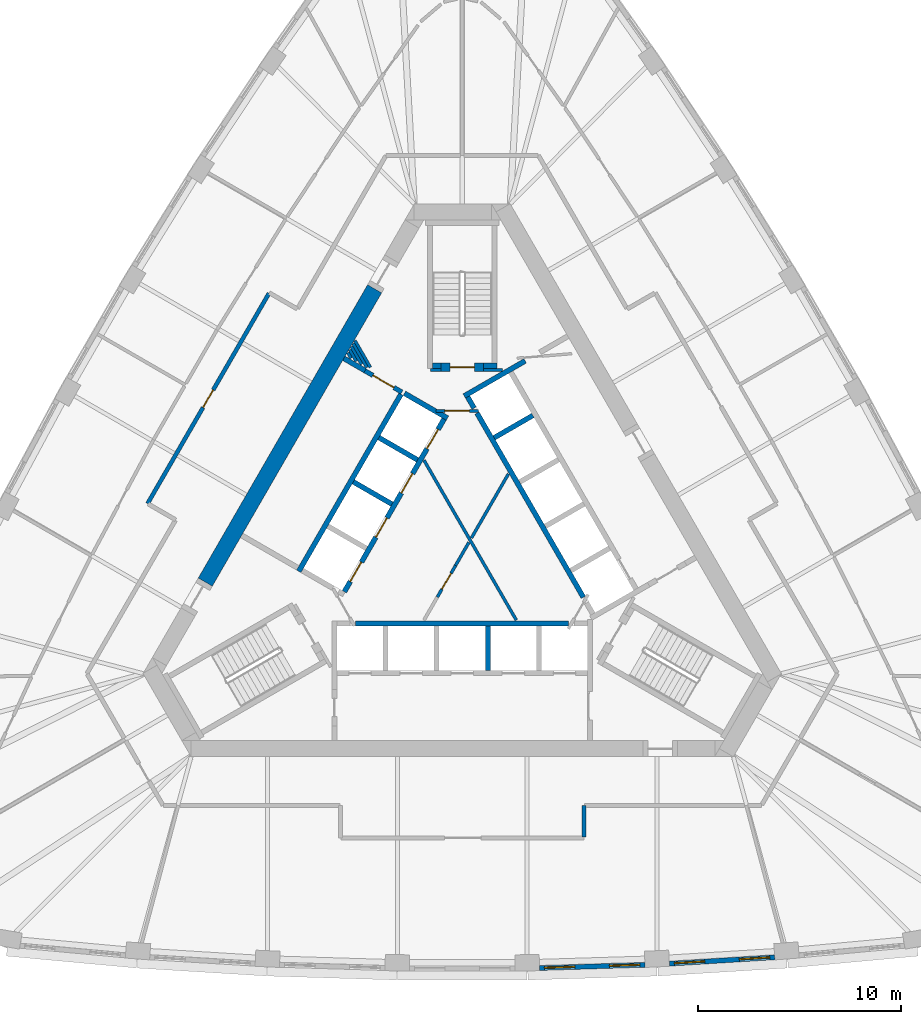
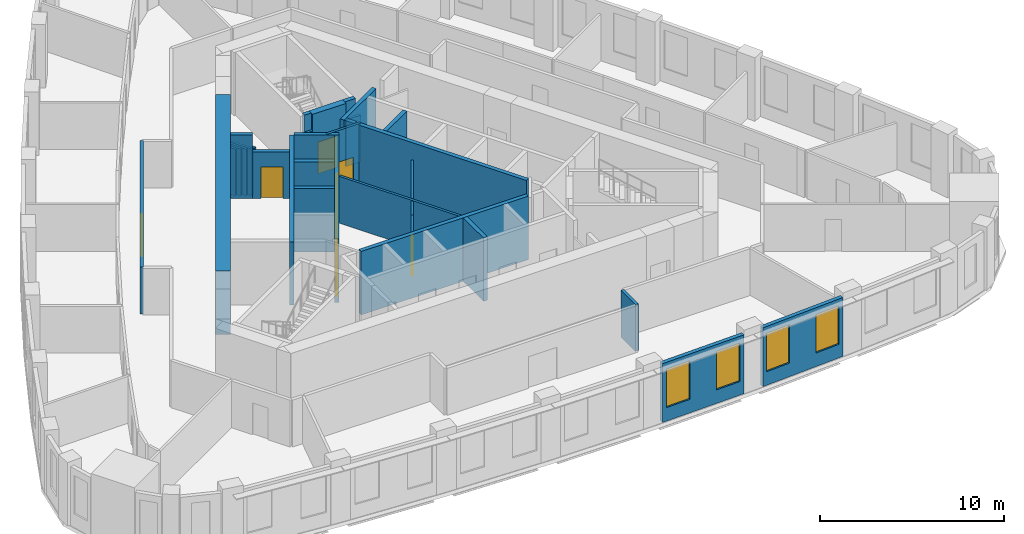
# One storey, part 5 of 10: 33 walls, 9 doors, 4 windows, 13 openings.
"""IFC4 building model written with IfcOpenShell, lengths in metres."""

from ifc_helpers import new_model, si_unit, direction, frame, frame_2d, origin, place, context, subcontext, project, spatial, polyline, rectangle, outline, extrude, material, layer, layer_set, type_object, element, fill, save


model = new_model("IFC4")

# Units and contexts
model_context = context("Model", 3, precision=1e-05, world=origin(), true_north=direction((0.0, 1.0)))
body_context = subcontext(model_context, "Body", "Model", "MODEL_VIEW")
ifc_project = project(units=[si_unit("LENGTHUNIT", "METRE"), si_unit("AREAUNIT", "SQUARE_METRE"), si_unit("VOLUMEUNIT", "CUBIC_METRE"), si_unit("PLANEANGLEUNIT", "RADIAN"), si_unit("MASSUNIT", "GRAM", prefix="KILO")], contexts=[model_context])

# Site, building, storey
site_placement = place(None, origin())
site = spatial("IfcSite", under=ifc_project, at=site_placement, CompositionType="ELEMENT")
building_placement = place(site_placement, origin())
building = spatial("IfcBuilding", under=site, at=building_placement, Name="Mestral Congress Tower", CompositionType="ELEMENT")
storey_placement = place(building_placement, frame((0.0, 0.0, 192.0)))
storey = spatial("IfcBuildingStorey", under=building, at=storey_placement, Name="L45", CompositionType="ELEMENT", Elevation=192.0)

# Walls
ifc_material_1 = material(Name="Fire-rated board partition")
ifc_layer_1 = layer(ifc_material_1, 0.14990234375)
ifc_layer_set_1 = layer_set([ifc_layer_1], Name="Fire-rated board partition")
wall_type_1 = type_object("IfcWallType", Name="Core partition 150", PredefinedType="PARTITIONING", material=ifc_layer_set_1)
wall_1_placement = place(storey_placement, frame((-5.2939453125, 10.067138671875, 0.0), z_axis=(0.0, 0.0, 1.0), x_axis=(0.500054140411, -0.865994143547, 0.0)))
element("IfcWall", 1, at=wall_1_placement, inside=storey, type_object=wall_type_1, Name="L45 core wall", PredefinedType="PARTITIONING", context=body_context, shape_type="SweptSolid", body=[
    extrude(rectangle(XDim=1.529052734375, YDim=0.14990234375, at=frame_2d((0.7646484375, 0.0))), origin(), (0.0, 0.0, 1.0), 3.10009765625),
])
wall_2_placement = place(storey_placement, frame((-5.380615234375, 9.917236328125, 0.0), z_axis=(0.0, 0.0, 1.0), x_axis=(0.500136970483, -0.865946309396, 0.0)))
element("IfcWall", 2, at=wall_2_placement, inside=storey, type_object=wall_type_1, Name="L45 core wall", PredefinedType="PARTITIONING", context=body_context, shape_type="SweptSolid", body=[
    extrude(rectangle(XDim=1.359375, YDim=0.14990234375, at=frame_2d((0.6796875, 0.0))), origin(), (0.0, 0.0, 1.0), 3.10009765625),
])
wall_3_placement = place(storey_placement, frame((-5.467041015625, 9.76708984375, 0.0), z_axis=(0.0, 0.0, 1.0), x_axis=(0.500168849293, -0.86592789665, 0.0)))
element("IfcWall", 3, at=wall_3_placement, inside=storey, type_object=wall_type_1, Name="L45 core wall", PredefinedType="PARTITIONING", context=body_context, shape_type="SweptSolid", body=[
    extrude(rectangle(XDim=1.010009765625, YDim=0.14990234375, at=frame_2d((0.5048828125, 0.0))), origin(), (0.0, 0.0, 1.0), 3.10009765625),
])
wall_4_placement = place(storey_placement, frame((-5.5537109375, 9.6171875, 0.0), z_axis=(0.0, 0.0, 1.0), x_axis=(0.500253084543, -0.86587923604, 0.0)))
element("IfcWall", 4, at=wall_4_placement, inside=storey, type_object=wall_type_1, Name="L45 core wall", PredefinedType="PARTITIONING", context=body_context, shape_type="SweptSolid", body=[
    extrude(rectangle(XDim=0.663818359375, YDim=0.14990234375, at=frame_2d((0.33203125, 0.0))), origin(), (0.0, 0.0, 1.0), 3.10009765625),
])
wall_5_placement = place(storey_placement, frame((-5.640380859375, 9.46728515625, 0.0), z_axis=(0.0, 0.0, 1.0), x_axis=(0.499944387978, -0.86605750902, 0.0)))
element("IfcWall", 5, at=wall_5_placement, inside=storey, type_object=wall_type_1, Name="L45 core wall", PredefinedType="PARTITIONING", context=body_context, shape_type="SweptSolid", body=[
    extrude(rectangle(XDim=0.3173828125, YDim=0.14990234375, at=frame_2d((0.15869140625, 0.0))), origin(), (0.0, 0.0, 1.0), 3.10009765625),
])
wall_6_placement = place(storey_placement, frame((1.050048828125, 8.62548828125, 0.0), z_axis=(0.0, 0.0, 1.0), x_axis=(1.0, 0.0, 0.0)))
element("IfcWall", 6, at=wall_6_placement, inside=storey, type_object=wall_type_1, Name="L45 core wall", PredefinedType="PARTITIONING", context=body_context, shape_type="SweptSolid", body=[
    extrude(rectangle(XDim=0.9287109375, YDim=0.14990234375, at=frame_2d((0.46435546875, 0.0))), origin(), (0.0, 0.0, 1.0), 3.10009765625),
])
wall_7_placement = place(storey_placement, frame((-1.56396484375, 8.62548828125, 0.0), z_axis=(0.0, 0.0, 1.0), x_axis=(1.0, 0.0, 0.0)))
element("IfcWall", 7, at=wall_7_placement, inside=storey, type_object=wall_type_1, Name="L45 core wall", PredefinedType="PARTITIONING", context=body_context, shape_type="SweptSolid", body=[
    extrude(rectangle(XDim=0.513916015625, YDim=0.14990234375, at=frame_2d((0.2568359375, 0.0))), origin(), (0.0, 0.0, 1.0), 3.10009765625),
])
wall_8_placement = place(storey_placement, frame((-1.886962890625, 4.168212890625, 0.0), z_axis=(0.0, 0.0, 1.0), x_axis=(0.499997069472, -0.866027095719, 0.0)))
element("IfcWall", 8, at=wall_8_placement, inside=storey, type_object=wall_type_1, Name="L45 core wall", PredefinedType="PARTITIONING", context=body_context, shape_type="SweptSolid", body=[
    extrude(rectangle(XDim=9.1064453125, YDim=0.14990234375, at=frame_2d((4.55322265625, 0.0))), origin(), (0.0, 0.0, 1.0), 3.10009765625),
])
wall_9_placement = place(storey_placement, frame((-0.329345703125, -1.0205078125, 0.0), z_axis=(0.0, 0.0, 1.0), x_axis=(0.500033191285, 0.866006239939, 0.0)))
element("IfcWall", 9, at=wall_9_placement, inside=storey, type_object=wall_type_1, Name="L45 core wall", PredefinedType="PARTITIONING", context=body_context, shape_type="SweptSolid", body=[
    extrude(rectangle(XDim=1.31494140625, YDim=0.14990234375, at=frame_2d((0.657470703125, 0.0))), origin(), (0.0, 0.0, 1.0), 3.10009765625),
])
wall_10_placement = place(storey_placement, frame((2.276611328125, 3.4931640625, 0.0), z_axis=(0.0, 0.0, 1.0), x_axis=(-0.499994550825, -0.866028549844, 0.0)))
element("IfcWall", 10, at=wall_10_placement, inside=storey, type_object=wall_type_1, Name="L45 core wall", PredefinedType="PARTITIONING", context=body_context, shape_type="SweptSolid", body=[
    extrude(rectangle(XDim=3.650390625, YDim=0.14990234375, at=frame_2d((1.8251953125, 0.0))), origin(), (0.0, 0.0, 1.0), 3.10009765625),
])

# Wall, opening, door
wall_11_placement = place(storey_placement, frame((-1.2294921875, -2.579345703125, 0.0), z_axis=(0.0, 0.0, 1.0), x_axis=(0.500062916607, 0.865989075817, 0.0)))
wall_11 = element("IfcWall", 11, at=wall_11_placement, inside=storey, type_object=wall_type_1, Name="L45 door wall", PredefinedType="PARTITIONING", context=body_context, shape_type="SweptSolid", body=[
    extrude(rectangle(XDim=1.800048828125, YDim=0.14990234375, at=frame_2d((0.89990234375, 0.0))), origin(), (0.0, 0.0, 1.0), 3.10009765625),
])
opening_1_placement = place(wall_11_placement, frame((0.449951171875, 0.0, 0.0)))
opening_1 = element("IfcOpeningElement", 12, at=opening_1_placement, cuts=wall_11, Name="Opening SD-HUB2", PredefinedType="OPENING", context=body_context, shape_type="SweptSolid", body=[
    extrude(rectangle(XDim=0.89990234375, YDim=2.10009765625, at=frame_2d((0.449951171875, 1.050048828125))), frame((0.0, 0.0849609375, 0.0), z_axis=(0.0, -1.0, 0.0), x_axis=(1.0, 0.0, 0.0)), (0.0, 0.0, 1.0), 0.169921875),
])
ifc_material_2 = material(Name="Fire-rated steel door set", Category="steel")
door_type_1 = type_object("IfcDoorType", Name="Core door SR 900x2100", OperationType="SINGLE_SWING_LEFT", PredefinedType="DOOR", material=ifc_material_2)
door_1_placement = place(opening_1_placement, origin())
door_1 = element("IfcDoor", 13, at=door_1_placement, inside=storey, type_object=door_type_1, Name="Door SD-HUB2", OperationType="SINGLE_SWING_LEFT", OverallHeight=2.10009765625, OverallWidth=0.89990234375, PredefinedType="DOOR", context=body_context, shape_type="SweptSolid", body=[
    extrude(rectangle(XDim=0.89990234375, YDim=2.10009765625, at=frame_2d((0.449951171875, 1.050048828125))), frame((0.0, 0.02490234375, 0.0), z_axis=(0.0, -1.0, 0.0), x_axis=(1.0, 0.0, 0.0)), (0.0, 0.0, 1.0), 0.050048828125),
])
fill(opening_1, door_1)

ifc_layer_2 = layer(ifc_material_1, 0.22607421875)
ifc_layer_set_2 = layer_set([ifc_layer_2], Name="Fire-rated board partition")
wall_type_2 = type_object("IfcWallType", Name="Core partition 150 door-wall 226", PredefinedType="PARTITIONING", material=ifc_layer_set_2)
wall_12_placement = place(storey_placement, frame((-4.796142578125, 8.5751953125, 0.0), z_axis=(0.0, 0.0, 1.0), x_axis=(0.866009402589, -0.500027713859, 0.0)))
wall_12 = element("IfcWall", 14, at=wall_12_placement, inside=storey, type_object=wall_type_2, Name="L45 door wall", PredefinedType="PARTITIONING", context=body_context, shape_type="SweptSolid", body=[
    extrude(rectangle(XDim=2.10009765625, YDim=0.226318359375, at=frame_2d((1.050048828125, 0.0))), origin(), (0.0, 0.0, 1.0), 3.10009765625),
])
opening_2_placement = place(wall_12_placement, frame((0.449951171875, 0.0, 0.0)))
opening_2 = element("IfcOpeningElement", 15, at=opening_2_placement, cuts=wall_12, Name="Opening LB2-WL2", PredefinedType="OPENING", context=body_context, shape_type="SweptSolid", body=[
    extrude(rectangle(XDim=1.199951171875, YDim=2.10009765625, at=frame_2d((0.60009765625, 1.050048828125))), frame((0.0, 0.123046875, 0.0), z_axis=(0.0, -1.0, 0.0), x_axis=(1.0, 0.0, 0.0)), (0.0, 0.0, 1.0), 0.246337890625),
])
door_type_2 = type_object("IfcDoorType", Name="Core door LB 1200x2100", OperationType="SINGLE_SWING_LEFT", PredefinedType="DOOR", material=ifc_material_2)
door_2_placement = place(opening_2_placement, origin())
door_2 = element("IfcDoor", 16, at=door_2_placement, inside=storey, type_object=door_type_2, Name="Door LB2-WL2", OperationType="SINGLE_SWING_LEFT", OverallHeight=2.10009765625, OverallWidth=1.199951171875, PredefinedType="DOOR", context=body_context, shape_type="SweptSolid", body=[
    extrude(rectangle(XDim=1.199951171875, YDim=2.10009765625, at=frame_2d((0.60009765625, 1.050048828125))), frame((0.0, 0.02490234375, 0.0), z_axis=(0.0, -1.0, 0.0), x_axis=(1.0, 0.0, 0.0)), (0.0, 0.0, 1.0), 0.050048828125),
])
fill(opening_2, door_2)

# Wall
ifc_material_3 = material(Name="Concrete C60/75", Category="concrete")
ifc_layer_3 = layer(ifc_material_3, 0.800048828125)
ifc_layer_set_3 = layer_set([ifc_layer_3], Name="Concrete C60/75")
wall_type_3 = type_object("IfcWallType", Name="Core wall RC 800", PredefinedType="SOLIDWALL", material=ifc_layer_set_3)
wall_13_placement = place(storey_placement, frame((-4.32080078125, 12.615966796875, 0.0), z_axis=(0.0, 0.0, 1.0), x_axis=(-0.500009809857, -0.866019739987, 0.0)))
element("IfcWall", 17, at=wall_13_placement, inside=storey, type_object=wall_type_3, Name="L45 core wall", PredefinedType="SOLIDWALL", context=body_context, shape_type="SweptSolid", body=[
    extrude(rectangle(XDim=16.694580078125, YDim=0.800048828125, at=frame_2d((8.34716796875, 0.0))), origin(), (0.0, 0.0, 1.0), 4.199951171875),
])

# Wall, openings, windows
ifc_material_4 = material(Name="Precast concrete C40/50 with limestone facing", Category="masonry")
ifc_layer_4 = layer(ifc_material_4, 0.239990234375)
ifc_layer_set_4 = layer_set([ifc_layer_4], Name="Precast concrete C40/50 with limestone facing")
wall_type_4 = type_object("IfcWallType", Name="Facade stone wall 240", PredefinedType="SOLIDWALL", material=ifc_layer_set_4)
wall_14_placement = place(storey_placement, frame((3.80615234375, -20.869873046875, 0.0), z_axis=(0.0, 0.0, 1.0), x_axis=(0.999533441983, 0.030543384845, 0.0)))
wall_14 = element("IfcWall", 18, at=wall_14_placement, inside=storey, type_object=wall_type_4, Name="Facade wall F0-04", PredefinedType="SOLIDWALL", context=body_context, shape_type="SweptSolid", body=[
    extrude(rectangle(XDim=5.20361328125, YDim=0.239990234375, at=frame_2d((2.601806640625, 0.0))), origin(), (0.0, 0.0, 1.0), 3.89990234375),
])
opening_3_placement = place(wall_14_placement, frame((0.248291015625, 0.0, 0.89990234375)))
opening_3 = element("IfcOpeningElement", 19, at=opening_3_placement, cuts=wall_14, Name="Opening W4", PredefinedType="OPENING", context=body_context, shape_type="SweptSolid", body=[
    extrude(rectangle(XDim=1.5, YDim=2.550048828125, at=frame_2d((0.75, 1.27490234375))), frame((0.0, 0.1298828125, 0.0), z_axis=(0.0, -1.0, 0.0), x_axis=(1.0, 0.0, 0.0)), (0.0, 0.0, 1.0), 0.260009765625),
])
opening_4_placement = place(wall_14_placement, frame((3.455078125, 0.0, 0.89990234375)))
opening_4 = element("IfcOpeningElement", 20, at=opening_4_placement, cuts=wall_14, Name="Opening W4", PredefinedType="OPENING", context=body_context, shape_type="SweptSolid", body=[
    extrude(rectangle(XDim=1.5, YDim=2.550048828125, at=frame_2d((0.75, 1.27490234375))), frame((0.0, 0.1298828125, 0.0), z_axis=(0.0, -1.0, 0.0), x_axis=(1.0, 0.0, 0.0)), (0.0, 0.0, 1.0), 0.260009765625),
])
ifc_material_5 = material(Name="Clear low-emissivity double glazing", Category="glass")
window_type = type_object("IfcWindowType", Name="Facade punched window 1500 x 2550 sill 900", PartitioningType="SINGLE_PANEL", PredefinedType="WINDOW", material=ifc_material_5)
window_1_placement = place(opening_3_placement, origin())
window_1 = element("IfcWindow", 21, at=window_1_placement, inside=storey, type_object=window_type, Name="Window F0-04a", OverallHeight=2.550048828125, OverallWidth=1.5, PartitioningType="SINGLE_PANEL", PredefinedType="WINDOW", context=body_context, shape_type="SweptSolid", body=[
    extrude(rectangle(XDim=1.5, YDim=2.550048828125, at=frame_2d((0.75, 1.27490234375))), frame((0.0, 0.0400390625, 0.0), z_axis=(0.0, -1.0, 0.0), x_axis=(1.0, 0.0, 0.0)), (0.0, 0.0, 1.0), 0.06005859375),
])
fill(opening_3, window_1)
window_2_placement = place(opening_4_placement, origin())
window_2 = element("IfcWindow", 22, at=window_2_placement, inside=storey, type_object=window_type, Name="Window F0-04b", OverallHeight=2.550048828125, OverallWidth=1.5, PartitioningType="SINGLE_PANEL", PredefinedType="WINDOW", context=body_context, shape_type="SweptSolid", body=[
    extrude(rectangle(XDim=1.5, YDim=2.550048828125, at=frame_2d((0.75, 1.27490234375))), frame((0.0, 0.0400390625, 0.0), z_axis=(0.0, -1.0, 0.0), x_axis=(1.0, 0.0, 0.0)), (0.0, 0.0, 1.0), 0.06005859375),
])
fill(opening_4, window_2)

wall_15_placement = place(storey_placement, frame((10.210693359375, -20.656005859375, 0.0), z_axis=(0.0, 0.0, 1.0), x_axis=(0.998135294646, 0.061040425794, 0.0)))
wall_15 = element("IfcWall", 23, at=wall_15_placement, inside=storey, type_object=wall_type_4, Name="Facade wall F0-05", PredefinedType="SOLIDWALL", context=body_context, shape_type="SweptSolid", body=[
    extrude(rectangle(XDim=5.20361328125, YDim=0.239990234375, at=frame_2d((2.601806640625, 0.0))), origin(), (0.0, 0.0, 1.0), 3.89990234375),
])
opening_5_placement = place(wall_15_placement, frame((0.248291015625, 0.0, 0.89990234375)))
opening_5 = element("IfcOpeningElement", 24, at=opening_5_placement, cuts=wall_15, Name="Opening W4", PredefinedType="OPENING", context=body_context, shape_type="SweptSolid", body=[
    extrude(rectangle(XDim=1.5, YDim=2.550048828125, at=frame_2d((0.75, 1.27490234375))), frame((0.0, 0.1298828125, 0.0), z_axis=(0.0, -1.0, 0.0), x_axis=(1.0, 0.0, 0.0)), (0.0, 0.0, 1.0), 0.260009765625),
])
opening_6_placement = place(wall_15_placement, frame((3.455078125, 0.0, 0.89990234375)))
opening_6 = element("IfcOpeningElement", 25, at=opening_6_placement, cuts=wall_15, Name="Opening W4", PredefinedType="OPENING", context=body_context, shape_type="SweptSolid", body=[
    extrude(rectangle(XDim=1.5, YDim=2.550048828125, at=frame_2d((0.75, 1.27490234375))), frame((0.0, 0.1298828125, 0.0), z_axis=(0.0, -1.0, 0.0), x_axis=(1.0, 0.0, 0.0)), (0.0, 0.0, 1.0), 0.260009765625),
])
window_3_placement = place(opening_5_placement, origin())
window_3 = element("IfcWindow", 26, at=window_3_placement, inside=storey, type_object=window_type, Name="Window F0-05a", OverallHeight=2.550048828125, OverallWidth=1.5, PartitioningType="SINGLE_PANEL", PredefinedType="WINDOW", context=body_context, shape_type="SweptSolid", body=[
    extrude(rectangle(XDim=1.5, YDim=2.550048828125, at=frame_2d((0.75, 1.27490234375))), frame((0.0, 0.0400390625, 0.0), z_axis=(0.0, -1.0, 0.0), x_axis=(1.0, 0.0, 0.0)), (0.0, 0.0, 1.0), 0.06005859375),
])
fill(opening_5, window_3)
window_4_placement = place(opening_6_placement, origin())
window_4 = element("IfcWindow", 27, at=window_4_placement, inside=storey, type_object=window_type, Name="Window F0-05b", OverallHeight=2.550048828125, OverallWidth=1.5, PartitioningType="SINGLE_PANEL", PredefinedType="WINDOW", context=body_context, shape_type="SweptSolid", body=[
    extrude(rectangle(XDim=1.5, YDim=2.550048828125, at=frame_2d((0.75, 1.27490234375))), frame((0.0, 0.0400390625, 0.0), z_axis=(0.0, -1.0, 0.0), x_axis=(1.0, 0.0, 0.0)), (0.0, 0.0, 1.0), 0.06005859375),
])
fill(opening_6, window_4)

# Wall
ifc_material_6 = material(Name="Dense masonry wall, plastered", Category="masonry")
ifc_layer_5 = layer(ifc_material_6, 0.199951171875)
ifc_layer_set_5 = layer_set([ifc_layer_5], Name="Dense masonry wall, plastered")
wall_type_5 = type_object("IfcWallType", Name="Office tenancy wall 200", PredefinedType="PARTITIONING", material=ifc_layer_set_5)
wall_16_placement = place(storey_placement, frame((6.0, -14.419921875, 0.0), z_axis=(0.0, 0.0, 1.0), x_axis=(0.0, 1.0, 0.0)))
element("IfcWall", 28, at=wall_16_placement, inside=storey, type_object=wall_type_5, Name="Tenancy wall", PredefinedType="PARTITIONING", context=body_context, shape_type="SweptSolid", body=[
    extrude(rectangle(XDim=1.56982421875, YDim=0.199951171875, at=frame_2d((0.784912109375, 0.0))), origin(), (0.0, 0.0, 1.0), 3.10009765625),
])

# Wall, opening, door
wall_17_placement = place(storey_placement, frame((-9.529052734375, 12.395263671875, 0.0), z_axis=(0.0, 0.0, 1.0), x_axis=(-0.500001991949, -0.866024253729, 0.0)))
wall_17 = element("IfcWall", 29, at=wall_17_placement, inside=storey, type_object=wall_type_5, Name="Tenancy wall", PredefinedType="PARTITIONING", context=body_context, shape_type="SweptSolid", body=[
    extrude(rectangle(XDim=11.97021484375, YDim=0.199951171875, at=frame_2d((5.985107421875, 0.0))), origin(), (0.0, 0.0, 1.0), 3.10009765625),
])
opening_7_placement = place(wall_17_placement, frame((5.5, 0.0, 0.0)))
opening_7 = element("IfcOpeningElement", 30, at=opening_7_placement, cuts=wall_17, Name="Opening O05-017", PredefinedType="OPENING", context=body_context, shape_type="SweptSolid", body=[
    extrude(rectangle(XDim=1.0, YDim=2.10009765625, at=frame_2d((0.5, 1.050048828125))), frame((0.0, 0.10986328125, 0.0), z_axis=(0.0, -1.0, 0.0), x_axis=(1.0, 0.0, 0.0)), (0.0, 0.0, 1.0), 0.219970703125),
])
ifc_material_7 = material(Name="Fire-rated timber door set", Category="wood")
door_type_3 = type_object("IfcDoorType", Name="Office tenancy entrance door 1000x2100", OperationType="SINGLE_SWING_LEFT", PredefinedType="DOOR", material=ifc_material_7)
door_3_placement = place(opening_7_placement, origin())
door_3 = element("IfcDoor", 31, at=door_3_placement, inside=storey, type_object=door_type_3, Name="Door O05-017", OperationType="SINGLE_SWING_RIGHT", OverallHeight=2.10009765625, OverallWidth=1.0, PredefinedType="DOOR", context=body_context, shape_type="SweptSolid", body=[
    extrude(rectangle(XDim=1.0, YDim=2.10009765625, at=frame_2d((0.5, 1.050048828125))), frame((0.0, 0.02490234375, 0.0), z_axis=(0.0, -1.0, 0.0), x_axis=(1.0, 0.0, 0.0)), (0.0, 0.0, 1.0), 0.050048828125),
])
fill(opening_7, door_3)

# Walls
ifc_layer_6 = layer(ifc_material_3, 0.25)
ifc_layer_set_6 = layer_set([ifc_layer_6], Name="Concrete C60/75")
wall_type_6 = type_object("IfcWallType", Name="Shaft wall RC 250", PredefinedType="SOLIDWALL", material=ifc_layer_set_6)
wall_18_placement = place(storey_placement, frame((-5.25927734375, -3.875, 0.0), z_axis=(0.0, 0.0, 1.0), x_axis=(1.0, 0.0, 0.0)))
element("IfcWall", 32, at=wall_18_placement, inside=storey, type_object=wall_type_6, Name="L45 core wall", PredefinedType="SOLIDWALL", context=body_context, shape_type="SweptSolid", body=[
    extrude(rectangle(XDim=10.488525390625, YDim=0.25, at=frame_2d((5.244140625, 0.0))), origin(), (0.0, 0.0, 1.0), 4.199951171875),
])
wall_19_placement = place(storey_placement, frame((1.260009765625, -4.0, 0.0), z_axis=(0.0, 0.0, 1.0), x_axis=(0.0, -1.0, 0.0)))
element("IfcWall", 33, at=wall_19_placement, inside=storey, type_object=wall_type_6, Name="L45 core wall", PredefinedType="SOLIDWALL", context=body_context, shape_type="SweptSolid", body=[
    extrude(rectangle(XDim=2.199951171875, YDim=0.25, at=frame_2d((1.10009765625, 0.0))), origin(), (0.0, 0.0, 1.0), 4.199951171875),
])
wall_20_placement = place(storey_placement, frame((3.10009765625, 9.064453125, 0.0), z_axis=(0.0, 0.0, 1.0), x_axis=(-0.866033137035, -0.499986605379, 0.0)))
element("IfcWall", 34, at=wall_20_placement, inside=storey, type_object=wall_type_6, Name="L45 core wall", PredefinedType="SOLIDWALL", context=body_context, shape_type="SweptSolid", body=[
    extrude(rectangle(XDim=3.466796875, YDim=0.25, at=frame_2d((1.7333984375, 0.0))), origin(), (0.0, 0.0, 1.0), 4.199951171875),
])
wall_21_placement = place(storey_placement, frame((0.268310546875, 7.28515625, 0.0), z_axis=(0.0, 0.0, 1.0), x_axis=(0.500098681536, -0.865968422476, 0.0)))
element("IfcWall", 35, at=wall_21_placement, inside=storey, type_object=wall_type_6, Name="L45 core wall", PredefinedType="SOLIDWALL", context=body_context, shape_type="SweptSolid", body=[
    extrude(rectangle(XDim=0.636474609375, YDim=0.25, at=frame_2d((0.318359375, 0.0))), origin(), (0.0, 0.0, 1.0), 4.199951171875),
])
wall_22_placement = place(storey_placement, frame((5.970458984375, -2.591064453125, 0.0), z_axis=(0.0, 0.0, 1.0), x_axis=(-0.499994469932, 0.866028596547, 0.0)))
element("IfcWall", 36, at=wall_22_placement, inside=storey, type_object=wall_type_6, Name="L45 core wall", PredefinedType="SOLIDWALL", context=body_context, shape_type="SweptSolid", body=[
    extrude(rectangle(XDim=10.48828125, YDim=0.25, at=frame_2d((5.244140625, 0.0))), origin(), (0.0, 0.0, 1.0), 4.199951171875),
])
wall_23_placement = place(storey_placement, frame((1.57421875, 5.273681640625, 0.0), z_axis=(0.0, 0.0, 1.0), x_axis=(0.866028486751, 0.499994660107, 0.0)))
element("IfcWall", 37, at=wall_23_placement, inside=storey, type_object=wall_type_6, Name="L45 core wall", PredefinedType="SOLIDWALL", context=body_context, shape_type="SweptSolid", body=[
    extrude(rectangle(XDim=2.19970703125, YDim=0.25, at=frame_2d((1.099853515625, 0.0))), origin(), (0.0, 0.0, 1.0), 4.199951171875),
])
wall_24_placement = place(storey_placement, frame((-3.02001953125, 7.4189453125, 0.0), z_axis=(0.0, 0.0, 1.0), x_axis=(-0.500022956343, -0.866012149528, 0.0)))
element("IfcWall", 38, at=wall_24_placement, inside=storey, type_object=wall_type_6, Name="L45 core wall", PredefinedType="SOLIDWALL", context=body_context, shape_type="SweptSolid", body=[
    extrude(rectangle(XDim=10.080078125, YDim=0.25, at=frame_2d((5.0400390625, 0.0))), origin(), (0.0, 0.0, 1.0), 4.199951171875),
])
wall_25_placement = place(storey_placement, origin())
element("IfcWall", 39, at=wall_25_placement, inside=storey, type_object=wall_type_6, Name="L45 core wall", PredefinedType="SOLIDWALL", context=body_context, shape_type="SweptSolid", body=[
    extrude(outline(polyline([(-2.911865234375, 7.3564453125), (-2.786865234375, 7.572998046875), (-1.231689453125, 6.675048828125), (-1.303466796875, 6.675048828125), (-1.3037109375, 6.675048828125), (-1.3037109375, 6.675048828125), (-1.3037109375, 6.52490234375), (-1.3037109375, 6.52490234375), (-1.303466796875, 6.52490234375), (-0.971435546875, 6.52490234375), (-0.6650390625, 6.347900390625), (-0.7900390625, 6.131591796875), (-1.006591796875, 6.256591796875), (-1.006591796875, 6.256591796875), (-2.911865234375, 7.3564453125)])), origin(), (0.0, 0.0, 1.0), 4.199951171875),
])
for number, where, z_axis, x_axis, name in (
    (40, (-2.2041015625, 4.182373046875, 0.0), (0.0, 0.0, 1.0), (-0.866008176907, 0.50002983664, 0.0), "L45 core wall"),
    (41, (-5.369384765625, 3.10009765625, 0.0), (0.0, 0.0, 1.0), (0.866008176907, -0.50002983664, 0.0), "L45 core wall"),
):
    element("IfcWall", number, at=place(storey_placement, frame(where, z_axis=z_axis, x_axis=x_axis)), inside=storey, type_object=wall_type_6, Name=name, PredefinedType="SOLIDWALL", context=body_context, shape_type="SweptSolid", body=[
        extrude(rectangle(XDim=2.199951171875, YDim=0.25, at=frame_2d((1.10009765625, 0.0))), origin(), (0.0, 0.0, 1.0), 4.199951171875),
    ])
wall_26_placement = place(storey_placement, frame((-5.837158203125, 9.189697265625, 0.0), z_axis=(0.0, 0.0, 1.0), x_axis=(0.866024298998, -0.500001913541, 0.0)))
element("IfcWall", 42, at=wall_26_placement, inside=storey, type_object=wall_type_6, Name="L45 core wall", PredefinedType="SOLIDWALL", context=body_context, shape_type="SweptSolid", body=[
    extrude(rectangle(XDim=1.2099609375, YDim=0.25, at=frame_2d((0.60498046875, 0.0))), origin(), (0.0, 0.0, 1.0), 4.199951171875),
])

# Wall, openings, doors
wall_27_placement = place(storey_placement, frame((-0.898193359375, 6.194091796875, 0.0), z_axis=(0.0, 0.0, 1.0), x_axis=(-0.499996202215, -0.866027596426, 0.0)))
wall_27 = element("IfcWall", 43, at=wall_27_placement, inside=storey, type_object=wall_type_6, Name="L45 door wall", PredefinedType="SOLIDWALL", context=body_context, shape_type="SweptSolid", body=[
    extrude(rectangle(XDim=9.830078125, YDim=0.25, at=frame_2d((4.9150390625, 0.0))), origin(), (0.0, 0.0, 1.0), 4.199951171875),
])
opening_8_placement = place(wall_27_placement, frame((0.5849609375, 0.0, 0.0)))
opening_8 = element("IfcOpeningElement", 44, at=opening_8_placement, cuts=wall_27, Name="Opening LD-NWB1", PredefinedType="OPENING", context=body_context, shape_type="SweptSolid", body=[
    extrude(rectangle(XDim=1.10009765625, YDim=2.10009765625, at=frame_2d((0.550048828125, 1.050048828125))), frame((0.0, 0.135009765625, 0.0), z_axis=(0.0, -1.0, 0.0), x_axis=(1.0, 0.0, 0.0)), (0.0, 0.0, 1.0), 0.27001953125),
])
opening_9_placement = place(wall_27_placement, frame((3.10498046875, 0.0, 0.0)))
opening_9 = element("IfcOpeningElement", 45, at=opening_9_placement, cuts=wall_27, Name="Opening LD-NWB2", PredefinedType="OPENING", context=body_context, shape_type="SweptSolid", body=[
    extrude(rectangle(XDim=1.10009765625, YDim=2.10009765625, at=frame_2d((0.550048828125, 1.050048828125))), frame((0.0, 0.135009765625, 0.0), z_axis=(0.0, -1.0, 0.0), x_axis=(1.0, 0.0, 0.0)), (0.0, 0.0, 1.0), 0.27001953125),
])
opening_10_placement = place(wall_27_placement, frame((5.625, 0.0, 0.0)))
opening_10 = element("IfcOpeningElement", 46, at=opening_10_placement, cuts=wall_27, Name="Opening LD-NWB3", PredefinedType="OPENING", context=body_context, shape_type="SweptSolid", body=[
    extrude(rectangle(XDim=1.10009765625, YDim=2.10009765625, at=frame_2d((0.550048828125, 1.050048828125))), frame((0.0, 0.135009765625, 0.0), z_axis=(0.0, -1.0, 0.0), x_axis=(1.0, 0.0, 0.0)), (0.0, 0.0, 1.0), 0.27001953125),
])
opening_11_placement = place(wall_27_placement, frame((8.14501953125, 0.0, 0.0)))
opening_11 = element("IfcOpeningElement", 47, at=opening_11_placement, cuts=wall_27, Name="Opening LD-NWB4", PredefinedType="OPENING", context=body_context, shape_type="SweptSolid", body=[
    extrude(rectangle(XDim=1.10009765625, YDim=2.10009765625, at=frame_2d((0.550048828125, 1.050048828125))), frame((0.0, 0.135009765625, 0.0), z_axis=(0.0, -1.0, 0.0), x_axis=(1.0, 0.0, 0.0)), (0.0, 0.0, 1.0), 0.27001953125),
])
door_type_4 = type_object("IfcDoorType", Name="Core door LD 1100x2100", OperationType="DOUBLE_DOOR_SLIDING", PredefinedType="DOOR", material=ifc_material_2)
door_4_placement = place(opening_8_placement, origin())
door_4 = element("IfcDoor", 48, at=door_4_placement, inside=storey, type_object=door_type_4, Name="Door LD-NWB1", OperationType="DOUBLE_DOOR_SLIDING", OverallHeight=2.10009765625, OverallWidth=1.10009765625, PredefinedType="DOOR", context=body_context, shape_type="SweptSolid", body=[
    extrude(rectangle(XDim=1.10009765625, YDim=2.10009765625, at=frame_2d((0.550048828125, 1.050048828125))), frame((0.0, 0.02490234375, 0.0), z_axis=(0.0, -1.0, 0.0), x_axis=(1.0, 0.0, 0.0)), (0.0, 0.0, 1.0), 0.050048828125),
])
fill(opening_8, door_4)
door_5_placement = place(opening_9_placement, origin())
door_5 = element("IfcDoor", 49, at=door_5_placement, inside=storey, type_object=door_type_4, Name="Door LD-NWB2", OperationType="DOUBLE_DOOR_SLIDING", OverallHeight=2.10009765625, OverallWidth=1.10009765625, PredefinedType="DOOR", context=body_context, shape_type="SweptSolid", body=[
    extrude(rectangle(XDim=1.10009765625, YDim=2.10009765625, at=frame_2d((0.550048828125, 1.050048828125))), frame((0.0, 0.02490234375, 0.0), z_axis=(0.0, -1.0, 0.0), x_axis=(1.0, 0.0, 0.0)), (0.0, 0.0, 1.0), 0.050048828125),
])
fill(opening_9, door_5)
door_6_placement = place(opening_10_placement, origin())
door_6 = element("IfcDoor", 50, at=door_6_placement, inside=storey, type_object=door_type_4, Name="Door LD-NWB3", OperationType="DOUBLE_DOOR_SLIDING", OverallHeight=2.10009765625, OverallWidth=1.10009765625, PredefinedType="DOOR", context=body_context, shape_type="SweptSolid", body=[
    extrude(rectangle(XDim=1.10009765625, YDim=2.10009765625, at=frame_2d((0.550048828125, 1.050048828125))), frame((0.0, 0.02490234375, 0.0), z_axis=(0.0, -1.0, 0.0), x_axis=(1.0, 0.0, 0.0)), (0.0, 0.0, 1.0), 0.050048828125),
])
fill(opening_10, door_6)
door_7_placement = place(opening_11_placement, origin())
door_7 = element("IfcDoor", 51, at=door_7_placement, inside=storey, type_object=door_type_4, Name="Door LD-NWB4", OperationType="DOUBLE_DOOR_SLIDING", OverallHeight=2.10009765625, OverallWidth=1.10009765625, PredefinedType="DOOR", context=body_context, shape_type="SweptSolid", body=[
    extrude(rectangle(XDim=1.10009765625, YDim=2.10009765625, at=frame_2d((0.550048828125, 1.050048828125))), frame((0.0, 0.02490234375, 0.0), z_axis=(0.0, -1.0, 0.0), x_axis=(1.0, 0.0, 0.0)), (0.0, 0.0, 1.0), 0.050048828125),
])
fill(opening_11, door_7)

# Wall, opening, door
ifc_layer_7 = layer(ifc_material_3, 0.14990234375)
ifc_layer_set_7 = layer_set([ifc_layer_7], Name="Concrete C60/75")
wall_type_7 = type_object("IfcWallType", Name="Shaft wall RC 250 door-wall 150", PredefinedType="SOLIDWALL", material=ifc_layer_set_7)
wall_28_placement = place(storey_placement, frame((-1.303466796875, 6.60009765625, 0.0), z_axis=(0.0, 0.0, 1.0), x_axis=(1.0, 0.0, 0.0)))
wall_28 = element("IfcWall", 52, at=wall_28_placement, inside=storey, type_object=wall_type_7, Name="L45 door wall", PredefinedType="PARTITIONING", context=body_context, shape_type="SweptSolid", body=[
    extrude(rectangle(XDim=2.099853515625, YDim=0.14990234375, at=frame_2d((1.0498046875, 0.0))), origin(), (0.0, 0.0, 1.0), 4.199951171875),
])
opening_12_placement = place(wall_28_placement, frame((0.449951171875, 0.0, 0.0)))
opening_12 = element("IfcOpeningElement", 53, at=opening_12_placement, cuts=wall_28, Name="Opening CD2-HUB1", PredefinedType="OPENING", context=body_context, shape_type="SweptSolid", body=[
    extrude(rectangle(XDim=1.199951171875, YDim=2.10009765625, at=frame_2d((0.60009765625, 1.050048828125))), frame((0.0, 0.0849609375, 0.0), z_axis=(0.0, -1.0, 0.0), x_axis=(1.0, 0.0, 0.0)), (0.0, 0.0, 1.0), 0.169921875),
])
door_type_5 = type_object("IfcDoorType", Name="Core door CD 1200x2100", OperationType="SINGLE_SWING_LEFT", PredefinedType="DOOR", material=ifc_material_2)
door_8_placement = place(opening_12_placement, origin())
door_8 = element("IfcDoor", 54, at=door_8_placement, inside=storey, type_object=door_type_5, Name="Door CD2-HUB1", OperationType="SINGLE_SWING_LEFT", OverallHeight=2.10009765625, OverallWidth=1.199951171875, PredefinedType="DOOR", context=body_context, shape_type="SweptSolid", body=[
    extrude(rectangle(XDim=1.199951171875, YDim=2.10009765625, at=frame_2d((0.60009765625, 1.050048828125))), frame((0.0, 0.02490234375, 0.0), z_axis=(0.0, -1.0, 0.0), x_axis=(1.0, 0.0, 0.0)), (0.0, 0.0, 1.0), 0.050048828125),
])
fill(opening_12, door_8)

# Walls
ifc_layer_8 = layer(ifc_material_3, 0.25)
ifc_layer_set_8 = layer_set([ifc_layer_8], Name="Concrete C60/75")
wall_type_8 = type_object("IfcWallType", Name="Stair wall RC 250", PredefinedType="SOLIDWALL", material=ifc_layer_set_8)
wall_29_placement = place(storey_placement, frame((1.050048828125, 8.824951171875, 0.0), z_axis=(0.0, 0.0, 1.0), x_axis=(1.0, 0.0, 0.0)))
element("IfcWall", 55, at=wall_29_placement, inside=storey, type_object=wall_type_8, Name="L45 core wall", PredefinedType="SOLIDWALL", context=body_context, shape_type="SweptSolid", body=[
    extrude(rectangle(XDim=0.675048828125, YDim=0.25, at=frame_2d((0.33740234375, 0.0))), origin(), (0.0, 0.0, 1.0), 4.199951171875),
])
wall_30_placement = place(storey_placement, frame((-1.47509765625, 8.824951171875, 0.0), z_axis=(0.0, 0.0, 1.0), x_axis=(1.0, 0.0, 0.0)))
element("IfcWall", 56, at=wall_30_placement, inside=storey, type_object=wall_type_8, Name="L45 core wall", PredefinedType="SOLIDWALL", context=body_context, shape_type="SweptSolid", body=[
    extrude(rectangle(XDim=0.425048828125, YDim=0.25, at=frame_2d((0.21240234375, 0.0))), origin(), (0.0, 0.0, 1.0), 4.199951171875),
])

# Wall, opening, door
ifc_layer_9 = layer(ifc_material_3, 0.39990234375)
ifc_layer_set_9 = layer_set([ifc_layer_9], Name="Concrete C60/75")
wall_type_9 = type_object("IfcWallType", Name="Stair wall RC 250 door-wall 400", PredefinedType="SOLIDWALL", material=ifc_layer_set_9)
wall_31_placement = place(storey_placement, frame((1.050048828125, 8.75, 0.0), z_axis=(0.0, 0.0, 1.0), x_axis=(-1.0, 0.0, 0.0)))
wall_31 = element("IfcWall", 57, at=wall_31_placement, inside=storey, type_object=wall_type_9, Name="L45 door wall", PredefinedType="SOLIDWALL", context=body_context, shape_type="SweptSolid", body=[
    extrude(rectangle(XDim=2.10009765625, YDim=0.39990234375, at=frame_2d((1.050048828125, 0.0))), origin(), (0.0, 0.0, 1.0), 4.199951171875),
])
opening_13_placement = place(wall_31_placement, frame((0.449951171875, 0.0, 0.0)))
opening_13 = element("IfcOpeningElement", 58, at=opening_13_placement, cuts=wall_31, Name="Opening ST-D2", PredefinedType="OPENING", context=body_context, shape_type="SweptSolid", body=[
    extrude(rectangle(XDim=1.199951171875, YDim=2.10009765625, at=frame_2d((0.60009765625, 1.050048828125))), frame((0.0, 0.2099609375, 0.0), z_axis=(0.0, -1.0, 0.0), x_axis=(1.0, 0.0, 0.0)), (0.0, 0.0, 1.0), 0.419921875),
])
door_type_6 = type_object("IfcDoorType", Name="Core door ST 1200x2100", OperationType="SINGLE_SWING_LEFT", PredefinedType="DOOR", material=ifc_material_2)
door_9_placement = place(opening_13_placement, origin())
door_9 = element("IfcDoor", 59, at=door_9_placement, inside=storey, type_object=door_type_6, Name="Door ST-D2", OperationType="SINGLE_SWING_LEFT", OverallHeight=2.10009765625, OverallWidth=1.199951171875, PredefinedType="DOOR", context=body_context, shape_type="SweptSolid", body=[
    extrude(rectangle(XDim=1.199951171875, YDim=2.10009765625, at=frame_2d((0.60009765625, 1.050048828125))), frame((0.0, 0.02490234375, 0.0), z_axis=(0.0, -1.0, 0.0), x_axis=(1.0, 0.0, 0.0)), (0.0, 0.0, 1.0), 0.050048828125),
])
fill(opening_13, door_9)

save(model, "model.ifc")
